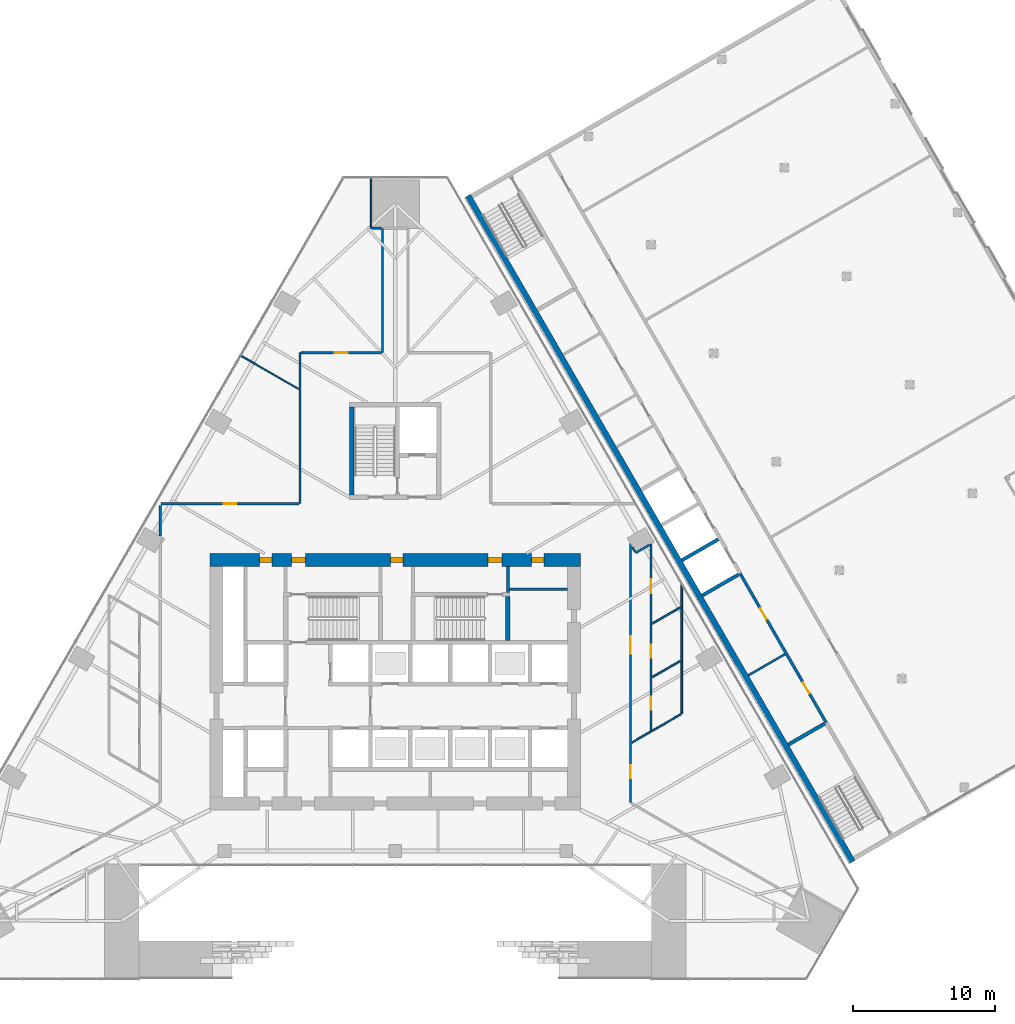
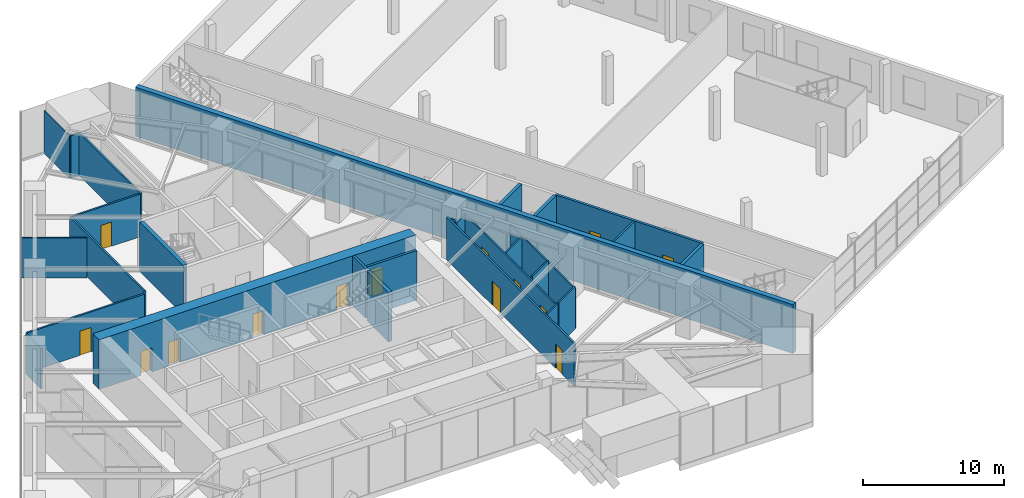
# One storey, part 19 of 29: 28 walls, 14 doors, 14 openings.
"""IFC4 building model written with IfcOpenShell, lengths in metres."""

from ifc_helpers import new_model, si_unit, direction, frame, frame_2d, origin, place, context, subcontext, project, spatial, rectangle, extrude, material, layer, layer_set, type_object, element, fill, save


model = new_model("IFC4")

# Units and contexts
model_context = context("Model", 3, precision=1e-05, world=origin(), true_north=direction((0.0, 1.0)))
body_context = subcontext(model_context, "Body", "Model", "MODEL_VIEW")
ifc_project = project(units=[si_unit("LENGTHUNIT", "METRE"), si_unit("AREAUNIT", "SQUARE_METRE"), si_unit("VOLUMEUNIT", "CUBIC_METRE"), si_unit("PLANEANGLEUNIT", "RADIAN"), si_unit("MASSUNIT", "GRAM", prefix="KILO")], contexts=[model_context])

# Site, building, storey
site_placement = place(None, origin())
site = spatial("IfcSite", under=ifc_project, at=site_placement, CompositionType="ELEMENT")
building_placement = place(site_placement, origin())
building = spatial("IfcBuilding", under=site, at=building_placement, Name="Firuza Gate Tower and Library", CompositionType="ELEMENT")
storey_placement = place(building_placement, frame((0.0, 0.0, 17.199951171875)))
storey = spatial("IfcBuildingStorey", under=building, at=storey_placement, Name="L03", CompositionType="ELEMENT", Elevation=17.199951171875)

# Walls
ifc_material_1 = material(Name="Plasterboard on steel studs", Category="steel")
ifc_layer_1 = layer(ifc_material_1, 0.199951171875)
ifc_layer_set_1 = layer_set([ifc_layer_1], Name="Core partition 200 EI 120")
wall_type_1 = type_object("IfcWallType", Name="Core partition 200 EI 120", PredefinedType="PARTITIONING", material=ifc_layer_set_1)
wall_1_placement = place(storey_placement, frame((83.0, 81.4951171875, 0.0), z_axis=(0.0, 0.0, 1.0), x_axis=(1.0, 0.0, 0.0)))
element("IfcWall", 1, at=wall_1_placement, inside=storey, type_object=wall_type_1, Name="Core partition L03 4", PredefinedType="PARTITIONING", context=body_context, shape_type="SweptSolid", body=[
    extrude(rectangle(XDim=4.10009765625, YDim=0.199951171875, at=frame_2d((2.050048828125, 0.0))), origin(), (0.0, 0.0, 1.0), 4.300048828125),
])
wall_2_placement = place(storey_placement, frame((82.89990234375, 81.280029296875, 0.0), z_axis=(0.0, 0.0, 1.0), x_axis=(0.0, 1.0, 0.0)))
element("IfcWall", 2, at=wall_2_placement, inside=storey, type_object=wall_type_1, Name="Core partition L03 15", PredefinedType="PARTITIONING", context=body_context, shape_type="SweptSolid", body=[
    extrude(rectangle(XDim=1.820068359375, YDim=0.199951171875, at=frame_2d((0.91015625, 0.0))), origin(), (0.0, 0.0, 1.0), 4.300048828125),
])
ifc_material_2 = material(Name="Concrete C80/95", Category="concrete")
ifc_layer_2 = layer(ifc_material_2, 0.300048828125)
ifc_layer_set_2 = layer_set([ifc_layer_2], Name="Core wall 300 C80/95")
wall_type_2 = type_object("IfcWallType", Name="Core wall 300 C80/95", PredefinedType="SHEAR", material=ifc_layer_set_2)
wall_3_placement = place(storey_placement, frame((82.89990234375, 77.89990234375, 0.0), z_axis=(0.0, 0.0, 1.0), x_axis=(0.0, 1.0, 0.0)))
element("IfcWall", 3, at=wall_3_placement, inside=storey, type_object=wall_type_2, Name="Core wall L03 33", PredefinedType="SHEAR", context=body_context, shape_type="SweptSolid", body=[
    extrude(rectangle(XDim=3.080078125, YDim=0.300048828125, at=frame_2d((1.5400390625, 0.0))), origin(), (0.0, 0.0, 1.0), 4.300048828125),
])
wall_4_placement = place(storey_placement, frame((71.949951171875, 88.10009765625, 0.0), z_axis=(0.0, 0.0, 1.0), x_axis=(0.0, 1.0, 0.0)))
element("IfcWall", 4, at=wall_4_placement, inside=storey, type_object=wall_type_2, Name="Core wall L03 36", PredefinedType="SHEAR", context=body_context, shape_type="SweptSolid", body=[
    extrude(rectangle(XDim=6.199951171875, YDim=0.300048828125, at=frame_2d((3.10009765625, 0.0))), origin(), (0.0, 0.0, 1.0), 4.300048828125),
])

# Wall, openings, doors
ifc_material_3 = material(Name="Concrete C80/95", Category="concrete")
ifc_layer_3 = layer(ifc_material_3, 0.89990234375)
ifc_layer_set_3 = layer_set([ifc_layer_3], Name="Core wall 900 C80/95")
wall_type_3 = type_object("IfcWallType", Name="Core wall 900 C80/95", PredefinedType="SHEAR", material=ifc_layer_set_3)
wall_5_placement = place(storey_placement, frame((62.0, 83.550048828125, 0.0), z_axis=(0.0, 0.0, 1.0), x_axis=(1.0, 0.0, 0.0)))
wall_5 = element("IfcWall", 5, at=wall_5_placement, inside=storey, type_object=wall_type_3, Name="Core wall L03 2", PredefinedType="SHEAR", context=body_context, shape_type="SweptSolid", body=[
    extrude(rectangle(XDim=26.0, YDim=0.89990234375, at=frame_2d((13.0, 0.0))), origin(), (0.0, 0.0, 1.0), 4.300048828125),
])
opening_1_placement = place(wall_5_placement, frame((5.695068359375, 0.0, 0.0)))
opening_1 = element("IfcOpeningElement", 6, at=opening_1_placement, cuts=wall_5, Name="Opening L03-K14", PredefinedType="OPENING", context=body_context, shape_type="SweptSolid", body=[
    extrude(rectangle(XDim=1.0, YDim=2.10009765625, at=frame_2d((0.5, 1.050048828125))), frame((0.0, 0.4599609375, 0.0), z_axis=(0.0, -1.0, 0.0), x_axis=(1.0, 0.0, 0.0)), (0.0, 0.0, 1.0), 0.919921875),
])
opening_2_placement = place(wall_5_placement, frame((19.5048828125, 0.0, 0.0)))
opening_2 = element("IfcOpeningElement", 7, at=opening_2_placement, cuts=wall_5, Name="Opening L03-K16", PredefinedType="OPENING", context=body_context, shape_type="SweptSolid", body=[
    extrude(rectangle(XDim=1.0, YDim=2.10009765625, at=frame_2d((0.5, 1.050048828125))), frame((0.0, 0.4599609375, 0.0), z_axis=(0.0, -1.0, 0.0), x_axis=(1.0, 0.0, 0.0)), (0.0, 0.0, 1.0), 0.919921875),
])
opening_3_placement = place(wall_5_placement, frame((3.449951171875, 0.0, 0.0)))
opening_3 = element("IfcOpeningElement", 8, at=opening_3_placement, cuts=wall_5, Name="Opening L03-K29", PredefinedType="OPENING", context=body_context, shape_type="SweptSolid", body=[
    extrude(rectangle(XDim=0.89990234375, YDim=2.10009765625, at=frame_2d((0.449951171875, 1.050048828125))), frame((0.0, 0.4599609375, 0.0), z_axis=(0.0, -1.0, 0.0), x_axis=(1.0, 0.0, 0.0)), (0.0, 0.0, 1.0), 0.919921875),
])
opening_4_placement = place(wall_5_placement, frame((12.64990234375, 0.0, 0.0)))
opening_4 = element("IfcOpeningElement", 9, at=opening_4_placement, cuts=wall_5, Name="Opening L03-K30", PredefinedType="OPENING", context=body_context, shape_type="SweptSolid", body=[
    extrude(rectangle(XDim=0.89990234375, YDim=2.10009765625, at=frame_2d((0.449951171875, 1.050048828125))), frame((0.0, 0.4599609375, 0.0), z_axis=(0.0, -1.0, 0.0), x_axis=(1.0, 0.0, 0.0)), (0.0, 0.0, 1.0), 0.919921875),
])
opening_5_placement = place(wall_5_placement, frame((22.550048828125, 0.0, 0.0)))
opening_5 = element("IfcOpeningElement", 10, at=opening_5_placement, cuts=wall_5, Name="Opening L03-K32", PredefinedType="OPENING", context=body_context, shape_type="SweptSolid", body=[
    extrude(rectangle(XDim=0.89990234375, YDim=2.10009765625, at=frame_2d((0.449951171875, 1.050048828125))), frame((0.0, 0.4599609375, 0.0), z_axis=(0.0, -1.0, 0.0), x_axis=(1.0, 0.0, 0.0)), (0.0, 0.0, 1.0), 0.919921875),
])
ifc_material_4 = material(Name="Steel", Category="steel")
door_type_1 = type_object("IfcDoorType", Name="Fire door 1000x2100 FD90", OperationType="NOTDEFINED", PredefinedType="DOOR", material=ifc_material_4)
door_1_placement = place(opening_1_placement, origin())
door_1 = element("IfcDoor", 11, at=door_1_placement, inside=storey, type_object=door_type_1, Name="Door L03-K14", OperationType="SINGLE_SWING_LEFT", OverallHeight=2.10009765625, OverallWidth=1.0, PredefinedType="DOOR", context=body_context, shape_type="SweptSolid", body=[
    extrude(rectangle(XDim=1.0, YDim=2.10009765625, at=frame_2d((0.5, 1.050048828125))), frame((0.0, 0.169921875, 0.0), z_axis=(0.0, -1.0, 0.0), x_axis=(1.0, 0.0, 0.0)), (0.0, 0.0, 1.0), 0.33984375),
])
fill(opening_1, door_1)
door_2_placement = place(opening_2_placement, origin())
door_2 = element("IfcDoor", 12, at=door_2_placement, inside=storey, type_object=door_type_1, Name="Door L03-K16", OperationType="SINGLE_SWING_LEFT", OverallHeight=2.10009765625, OverallWidth=1.0, PredefinedType="DOOR", context=body_context, shape_type="SweptSolid", body=[
    extrude(rectangle(XDim=1.0, YDim=2.10009765625, at=frame_2d((0.5, 1.050048828125))), frame((0.0, 0.169921875, 0.0), z_axis=(0.0, -1.0, 0.0), x_axis=(1.0, 0.0, 0.0)), (0.0, 0.0, 1.0), 0.33984375),
])
fill(opening_2, door_2)
ifc_material_5 = material(Name="Steel", Category="steel")
door_type_2 = type_object("IfcDoorType", Name="Fire door 900x2100 FD30S", OperationType="NOTDEFINED", PredefinedType="DOOR", material=ifc_material_5)
door_3_placement = place(opening_3_placement, origin())
door_3 = element("IfcDoor", 13, at=door_3_placement, inside=storey, type_object=door_type_2, Name="Door L03-K29", OperationType="SINGLE_SWING_RIGHT", OverallHeight=2.10009765625, OverallWidth=0.89990234375, PredefinedType="DOOR", context=body_context, shape_type="SweptSolid", body=[
    extrude(rectangle(XDim=0.89990234375, YDim=2.10009765625, at=frame_2d((0.449951171875, 1.050048828125))), frame((0.0, 0.169921875, 0.0), z_axis=(0.0, -1.0, 0.0), x_axis=(1.0, 0.0, 0.0)), (0.0, 0.0, 1.0), 0.33984375),
])
fill(opening_3, door_3)
door_4_placement = place(opening_4_placement, origin())
door_4 = element("IfcDoor", 14, at=door_4_placement, inside=storey, type_object=door_type_2, Name="Door L03-K30", OperationType="SINGLE_SWING_LEFT", OverallHeight=2.10009765625, OverallWidth=0.89990234375, PredefinedType="DOOR", context=body_context, shape_type="SweptSolid", body=[
    extrude(rectangle(XDim=0.89990234375, YDim=2.10009765625, at=frame_2d((0.449951171875, 1.050048828125))), frame((0.0, 0.169921875, 0.0), z_axis=(0.0, -1.0, 0.0), x_axis=(1.0, 0.0, 0.0)), (0.0, 0.0, 1.0), 0.33984375),
])
fill(opening_4, door_4)
door_5_placement = place(opening_5_placement, origin())
door_5 = element("IfcDoor", 15, at=door_5_placement, inside=storey, type_object=door_type_2, Name="Door L03-K32", OperationType="SINGLE_SWING_LEFT", OverallHeight=2.10009765625, OverallWidth=0.89990234375, PredefinedType="DOOR", context=body_context, shape_type="SweptSolid", body=[
    extrude(rectangle(XDim=0.89990234375, YDim=2.10009765625, at=frame_2d((0.449951171875, 1.050048828125))), frame((0.0, 0.169921875, 0.0), z_axis=(0.0, -1.0, 0.0), x_axis=(1.0, 0.0, 0.0)), (0.0, 0.0, 1.0), 0.33984375),
])
fill(opening_5, door_5)

# Wall, opening, door
ifc_material_6 = material(Name="Gypsum board partition")
ifc_layer_4 = layer(ifc_material_6, 0.14990234375)
ifc_layer_set_4 = layer_set([ifc_layer_4], Name="Corridor wall 150 double board on steel studs")
wall_type_4 = type_object("IfcWallType", Name="Corridor wall 150 double board on steel studs", PredefinedType="PARTITIONING", material=ifc_layer_set_4)
wall_6_placement = place(storey_placement, frame((58.563232421875, 87.499755859375, 0.0), z_axis=(0.0, 0.0, 1.0), x_axis=(1.0, 0.0, 0.0)))
wall_6 = element("IfcWall", 16, at=wall_6_placement, inside=storey, type_object=wall_type_4, Name="f:L03:w000", PredefinedType="PARTITIONING", context=body_context, shape_type="SweptSolid", body=[
    extrude(rectangle(XDim=9.661865234375, YDim=0.14990234375, at=frame_2d((4.8310546875, 0.0))), origin(), (0.0, 0.0, 1.0), 3.465087890625),
])
opening_6_placement = place(wall_6_placement, frame((4.380859375, 0.0, 0.0)))
opening_6 = element("IfcOpeningElement", 17, at=opening_6_placement, cuts=wall_6, Name="Opening L03-01", PredefinedType="OPENING", context=body_context, shape_type="SweptSolid", body=[
    extrude(rectangle(XDim=0.89990234375, YDim=2.10009765625, at=frame_2d((0.449951171875, 1.050048828125))), frame((0.0, 0.0849609375, 0.0), z_axis=(0.0, -1.0, 0.0), x_axis=(1.0, 0.0, 0.0)), (0.0, 0.0, 1.0), 0.169921875),
])
ifc_material_7 = material(Name="Steel door and timber leaf", Category="steel")
door_type_3 = type_object("IfcDoorType", Name="Fire door 900 x 2100 steel frame, timber leaf", OperationType="NOTDEFINED", PredefinedType="DOOR", material=ifc_material_7)
door_6_placement = place(opening_6_placement, origin())
door_6 = element("IfcDoor", 18, at=door_6_placement, inside=storey, type_object=door_type_3, Name="f:L03:d001", OperationType="SINGLE_SWING_LEFT", OverallHeight=2.10009765625, OverallWidth=0.89990234375, PredefinedType="DOOR", context=body_context, shape_type="SweptSolid", body=[
    extrude(rectangle(XDim=0.89990234375, YDim=2.10009765625, at=frame_2d((0.449951171875, 1.050048828125))), frame((0.0, 0.02490234375, 0.0), z_axis=(0.0, -1.0, 0.0), x_axis=(1.0, 0.0, 0.0)), (0.0, 0.0, 1.0), 0.050048828125),
])
fill(opening_6, door_6)

wall_7_placement = place(storey_placement, frame((68.37548828125, 98.10009765625, 0.0), z_axis=(0.0, 0.0, 1.0), x_axis=(1.0, 0.0, 0.0)))
wall_7 = element("IfcWall", 19, at=wall_7_placement, inside=storey, type_object=wall_type_4, Name="f:L03:w002", PredefinedType="PARTITIONING", context=body_context, shape_type="SweptSolid", body=[
    extrude(rectangle(XDim=5.6494140625, YDim=0.14990234375, at=frame_2d((2.82470703125, 0.0))), origin(), (0.0, 0.0, 1.0), 3.699951171875),
])
opening_7_placement = place(wall_7_placement, frame((2.374755859375, 0.0, 0.0)))
opening_7 = element("IfcOpeningElement", 20, at=opening_7_placement, cuts=wall_7, Name="Opening L03-03", PredefinedType="OPENING", context=body_context, shape_type="SweptSolid", body=[
    extrude(rectangle(XDim=0.89990234375, YDim=2.10009765625, at=frame_2d((0.449951171875, 1.050048828125))), frame((0.0, 0.0849609375, 0.0), z_axis=(0.0, -1.0, 0.0), x_axis=(1.0, 0.0, 0.0)), (0.0, 0.0, 1.0), 0.169921875),
])
door_7_placement = place(opening_7_placement, origin())
door_7 = element("IfcDoor", 21, at=door_7_placement, inside=storey, type_object=door_type_3, Name="f:L03:d003", OperationType="SINGLE_SWING_RIGHT", OverallHeight=2.10009765625, OverallWidth=0.89990234375, PredefinedType="DOOR", context=body_context, shape_type="SweptSolid", body=[
    extrude(rectangle(XDim=0.89990234375, YDim=2.10009765625, at=frame_2d((0.449951171875, 1.050048828125))), frame((0.0, 0.02490234375, 0.0), z_axis=(0.0, -1.0, 0.0), x_axis=(1.0, 0.0, 0.0)), (0.0, 0.0, 1.0), 0.050048828125),
])
fill(opening_7, door_7)

# Walls
wall_8_placement = place(storey_placement, frame((73.3505859375, 106.833984375, 0.0), z_axis=(0.0, 0.0, 1.0), x_axis=(1.0, 0.0, 0.0)))
element("IfcWall", 22, at=wall_8_placement, inside=storey, type_object=wall_type_4, Name="f:L03:w004", PredefinedType="PARTITIONING", context=body_context, shape_type="SweptSolid", body=[
    extrude(rectangle(XDim=0.67431640625, YDim=0.14990234375, at=frame_2d((0.337158203125, 0.0))), origin(), (0.0, 0.0, 1.0), 3.699951171875),
])
wall_9_placement = place(storey_placement, frame((91.87109375, 84.0478515625, 0.0), z_axis=(0.0, 0.0, 1.0), x_axis=(0.866027263711, 0.4999967785, 0.0)))
element("IfcWall", 23, at=wall_9_placement, inside=storey, type_object=wall_type_4, Name="f:L03:w009", PredefinedType="PARTITIONING", context=body_context, shape_type="SweptSolid", body=[
    extrude(rectangle(XDim=1.1298828125, YDim=0.14990234375, at=frame_2d((0.56494140625, 0.0))), origin(), (0.0, 0.0, 1.0), 3.465087890625),
])

# Wall, openings, doors
wall_10_placement = place(storey_placement, frame((91.5, 84.6904296875, 0.0), z_axis=(0.0, 0.0, 1.0), x_axis=(0.0, -1.0, 0.0)))
wall_10 = element("IfcWall", 24, at=wall_10_placement, inside=storey, type_object=wall_type_4, Name="f:L03:w016", PredefinedType="PARTITIONING", context=body_context, shape_type="SweptSolid", body=[
    extrude(rectangle(XDim=18.177490234375, YDim=0.14990234375, at=frame_2d((9.0888671875, 0.0))), origin(), (0.0, 0.0, 1.0), 3.699951171875),
])
opening_8_placement = place(wall_10_placement, frame((6.51171875, 0.0, 0.0)))
opening_8 = element("IfcOpeningElement", 25, at=opening_8_placement, cuts=wall_10, Name="Opening L03-09", PredefinedType="OPENING", context=body_context, shape_type="SweptSolid", body=[
    extrude(rectangle(XDim=1.199951171875, YDim=2.10009765625, at=frame_2d((0.60009765625, 1.050048828125))), frame((0.0, 0.0849609375, 0.0), z_axis=(0.0, -1.0, 0.0), x_axis=(1.0, 0.0, 0.0)), (0.0, 0.0, 1.0), 0.169921875),
])
opening_9_placement = place(wall_10_placement, frame((15.547119140625, 0.0, 0.0)))
opening_9 = element("IfcOpeningElement", 26, at=opening_9_placement, cuts=wall_10, Name="Opening L03-10", PredefinedType="OPENING", context=body_context, shape_type="SweptSolid", body=[
    extrude(rectangle(XDim=0.89990234375, YDim=2.10009765625, at=frame_2d((0.449951171875, 1.050048828125))), frame((0.0, 0.0849609375, 0.0), z_axis=(0.0, -1.0, 0.0), x_axis=(1.0, 0.0, 0.0)), (0.0, 0.0, 1.0), 0.169921875),
])
ifc_material_8 = material(Name="Steel door and timber leaf", Category="steel")
door_type_4 = type_object("IfcDoorType", Name="Fire door 1200 x 2100 steel frame, double leaf", OperationType="NOTDEFINED", PredefinedType="DOOR", material=ifc_material_8)
door_8_placement = place(opening_8_placement, origin())
door_8 = element("IfcDoor", 27, at=door_8_placement, inside=storey, type_object=door_type_4, Name="f:L03:d009", OperationType="DOUBLE_DOOR_SINGLE_SWING", OverallHeight=2.10009765625, OverallWidth=1.199951171875, PredefinedType="DOOR", context=body_context, shape_type="SweptSolid", body=[
    extrude(rectangle(XDim=1.199951171875, YDim=2.10009765625, at=frame_2d((0.60009765625, 1.050048828125))), frame((0.0, 0.02490234375, 0.0), z_axis=(0.0, -1.0, 0.0), x_axis=(1.0, 0.0, 0.0)), (0.0, 0.0, 1.0), 0.050048828125),
])
fill(opening_8, door_8)
door_9_placement = place(opening_9_placement, origin())
door_9 = element("IfcDoor", 28, at=door_9_placement, inside=storey, type_object=door_type_3, Name="f:L03:d010", OperationType="SINGLE_SWING_LEFT", OverallHeight=2.10009765625, OverallWidth=0.89990234375, PredefinedType="DOOR", context=body_context, shape_type="SweptSolid", body=[
    extrude(rectangle(XDim=0.89990234375, YDim=2.10009765625, at=frame_2d((0.449951171875, 1.050048828125))), frame((0.0, 0.02490234375, 0.0), z_axis=(0.0, -1.0, 0.0), x_axis=(1.0, 0.0, 0.0)), (0.0, 0.0, 1.0), 0.050048828125),
])
fill(opening_9, door_9)

# Walls
wall_11_placement = place(storey_placement, frame((74.10009765625, 98.10009765625, 0.0), z_axis=(0.0, 0.0, 1.0), x_axis=(0.0, 1.0, 0.0)))
element("IfcWall", 29, at=wall_11_placement, inside=storey, type_object=wall_type_4, Name="f:L03:w019", PredefinedType="PARTITIONING", context=body_context, shape_type="SweptSolid", body=[
    extrude(rectangle(XDim=8.733642578125, YDim=0.14990234375, at=frame_2d((4.36669921875, 0.0))), origin(), (0.0, 0.0, 1.0), 3.699951171875),
])
wall_12_placement = place(storey_placement, frame((68.300048828125, 87.5, 0.0), z_axis=(0.0, 0.0, 1.0), x_axis=(0.0, 1.0, 0.0)))
element("IfcWall", 30, at=wall_12_placement, inside=storey, type_object=wall_type_4, Name="f:L03:w021", PredefinedType="PARTITIONING", context=body_context, shape_type="SweptSolid", body=[
    extrude(rectangle(XDim=10.599609375, YDim=0.14990234375, at=frame_2d((5.2998046875, 0.0))), origin(), (0.0, 0.0, 1.0), 3.699951171875),
])
wall_13_placement = place(storey_placement, frame((58.5, 85.219482421875, 0.0), z_axis=(0.0, 0.0, 1.0), x_axis=(0.0, 1.0, 0.0)))
element("IfcWall", 31, at=wall_13_placement, inside=storey, type_object=wall_type_4, Name="f:L03:w023", PredefinedType="PARTITIONING", context=body_context, shape_type="SweptSolid", body=[
    extrude(rectangle(XDim=2.169921875, YDim=0.14990234375, at=frame_2d((1.0849609375, 0.0))), origin(), (0.0, 0.0, 1.0), 3.465087890625),
])
wall_14_placement = place(storey_placement, frame((91.828857421875, 84.12158203125, 0.0), z_axis=(0.0, 0.0, 1.0), x_axis=(-0.499759814377, 0.866164030617, 0.0)))
element("IfcWall", 32, at=wall_14_placement, inside=storey, type_object=wall_type_4, Name="f:L03:w026", PredefinedType="PARTITIONING", context=body_context, shape_type="SweptSolid", body=[
    extrude(rectangle(XDim=0.377197265625, YDim=0.14990234375, at=frame_2d((0.1884765625, 0.0))), origin(), (0.0, 0.0, 1.0), 3.699951171875),
])

# Wall, openings, doors
ifc_material_9 = material(Name="Masonry block", Category="masonry")
ifc_layer_5 = layer(ifc_material_9, 0.199951171875)
ifc_layer_set_5 = layer_set([ifc_layer_5], Name="LIB CORRIDOR WALL 200")
wall_type_5 = type_object("IfcWallType", Name="LIB CORRIDOR WALL 200", PredefinedType="PARTITIONING", material=ifc_layer_set_5)
wall_15_placement = place(storey_placement, frame((105.25, 72.124755859375, 0.0), z_axis=(0.0, 0.0, 1.0), x_axis=(-0.499996309931, 0.866027534236, 0.0)))
wall_15 = element("IfcWall", 33, at=wall_15_placement, inside=storey, type_object=wall_type_5, Name="L03 corr wall 6", PredefinedType="PARTITIONING", context=body_context, shape_type="SweptSolid", body=[
    extrude(rectangle(XDim=12.08984375, YDim=0.199951171875, at=frame_2d((6.044921875, 0.0))), origin(), (0.0, 0.0, 1.0), 4.239990234375),
])
opening_10_placement = place(wall_15_placement, frame((2.364990234375, 0.0, 0.0)))
opening_10 = element("IfcOpeningElement", 34, at=opening_10_placement, cuts=wall_15, Name="Opening LIB-D1-001", PredefinedType="OPENING", context=body_context, shape_type="SweptSolid", body=[
    extrude(rectangle(XDim=0.89990234375, YDim=2.10009765625, at=frame_2d((0.449951171875, 1.050048828125))), frame((0.0, 0.10986328125, 0.0), z_axis=(0.0, -1.0, 0.0), x_axis=(1.0, 0.0, 0.0)), (0.0, 0.0, 1.0), 0.219970703125),
])
opening_11_placement = place(wall_15_placement, frame((8.364990234375, 0.0, 0.0)))
opening_11 = element("IfcOpeningElement", 35, at=opening_11_placement, cuts=wall_15, Name="Opening LIB-D1-002", PredefinedType="OPENING", context=body_context, shape_type="SweptSolid", body=[
    extrude(rectangle(XDim=0.89990234375, YDim=2.10009765625, at=frame_2d((0.449951171875, 1.050048828125))), frame((0.0, 0.10986328125, 0.0), z_axis=(0.0, -1.0, 0.0), x_axis=(1.0, 0.0, 0.0)), (0.0, 0.0, 1.0), 0.219970703125),
])
ifc_material_10 = material(Name="Timber door leaf", Category="wood")
door_type_5 = type_object("IfcDoorType", Name="LIB DOOR 900", OperationType="NOTDEFINED", PredefinedType="DOOR", material=ifc_material_10)
door_10_placement = place(opening_10_placement, origin())
door_10 = element("IfcDoor", 36, at=door_10_placement, inside=storey, type_object=door_type_5, Name="L03 door 3", OperationType="SINGLE_SWING_LEFT", OverallHeight=2.10009765625, OverallWidth=0.89990234375, PredefinedType="DOOR", context=body_context, shape_type="SweptSolid", body=[
    extrude(rectangle(XDim=0.89990234375, YDim=2.10009765625, at=frame_2d((0.449951171875, 1.050048828125))), frame((0.0, 0.02490234375, 0.0), z_axis=(0.0, -1.0, 0.0), x_axis=(1.0, 0.0, 0.0)), (0.0, 0.0, 1.0), 0.050048828125),
])
fill(opening_10, door_10)
door_11_placement = place(opening_11_placement, origin())
door_11 = element("IfcDoor", 37, at=door_11_placement, inside=storey, type_object=door_type_5, Name="L03 door 4", OperationType="SINGLE_SWING_RIGHT", OverallHeight=2.10009765625, OverallWidth=0.89990234375, PredefinedType="DOOR", context=body_context, shape_type="SweptSolid", body=[
    extrude(rectangle(XDim=0.89990234375, YDim=2.10009765625, at=frame_2d((0.449951171875, 1.050048828125))), frame((0.0, 0.02490234375, 0.0), z_axis=(0.0, -1.0, 0.0), x_axis=(1.0, 0.0, 0.0)), (0.0, 0.0, 1.0), 0.050048828125),
])
fill(opening_11, door_11)

# Walls
ifc_material_11 = material(Name="Gypsum board on steel studs", Category="steel")
ifc_layer_6 = layer(ifc_material_11, 0.14990234375)
ifc_layer_set_6 = layer_set([ifc_layer_6], Name="LIB PARTITION 150")
wall_type_6 = type_object("IfcWallType", Name="LIB PARTITION 150", PredefinedType="PARTITIONING", material=ifc_layer_set_6)
wall_16_placement = place(storey_placement, frame((99.779296875, 75.449951171875, 0.0), z_axis=(0.0, 0.0, 1.0), x_axis=(0.866017493347, 0.500013701029, 0.0)))
element("IfcWall", 38, at=wall_16_placement, inside=storey, type_object=wall_type_6, Name="L03 part wall 5", PredefinedType="PARTITIONING", context=body_context, shape_type="SweptSolid", body=[
    extrude(rectangle(XDim=2.97509765625, YDim=0.14990234375, at=frame_2d((1.487548828125, 0.0))), origin(), (0.0, 0.0, 1.0), 4.239990234375),
])
ifc_material_12 = material(Name="Concrete C40/50", Category="concrete")
ifc_layer_7 = layer(ifc_material_12, 0.25)
ifc_layer_set_7 = layer_set([ifc_layer_7], Name="LIB SHAFT WALL 250")
wall_type_7 = type_object("IfcWallType", Name="LIB SHAFT WALL 250", PredefinedType="SOLIDWALL", material=ifc_layer_set_7)
for number, where, z_axis, x_axis, name in (
    (39, (102.5869140625, 70.58740234375, 0.0), (0.0, 0.0, 1.0), (0.866039495442, 0.49997559174, 0.0), "L03 shaft wall 1"),
    (40, (96.5419921875, 81.0576171875, 0.0), (0.0, 0.0, 1.0), (0.866039495442, 0.49997559174, 0.0), "L03 shaft wall 8"),
    (41, (95.116943359375, 83.525634765625, 0.0), (0.0, 0.0, 1.0), (0.866003658127, 0.500037662692, 0.0), "L03 shaft wall 9"),
):
    element("IfcWall", number, at=place(storey_placement, frame(where, z_axis=z_axis, x_axis=x_axis)), inside=storey, type_object=wall_type_7, Name=name, PredefinedType="SOLIDWALL", context=body_context, shape_type="SweptSolid", body=[
        extrude(rectangle(XDim=2.949951171875, YDim=0.25, at=frame_2d((1.47509765625, 0.0))), origin(), (0.0, 0.0, 1.0), 4.239990234375),
    ])
ifc_material_13 = material(Name="Concrete C40/50", Category="concrete")
ifc_layer_8 = layer(ifc_material_13, 0.39990234375)
ifc_layer_set_8 = layer_set([ifc_layer_8], Name="LIB WEST WALL 400")
wall_type_8 = type_object("IfcWallType", Name="LIB WEST WALL 400", PredefinedType="SOLIDWALL", material=ifc_layer_set_8)
wall_17_placement = place(storey_placement, frame((107.106201171875, 62.359619140625, 0.0), z_axis=(0.0, 0.0, 1.0), x_axis=(-0.49999992739, 0.866025445706, 0.0)))
element("IfcWall", 42, at=wall_17_placement, inside=storey, type_object=wall_type_8, Name="L03 west bearing wall", PredefinedType="SOLIDWALL", context=body_context, shape_type="SweptSolid", body=[
    extrude(rectangle(XDim=54.0, YDim=0.39990234375, at=frame_2d((27.0, 0.0))), origin(), (0.0, 0.0, 1.0), 4.239990234375),
])
ifc_material_14 = material(Name="Gypsum board partition")
ifc_layer_9 = layer(ifc_material_14, 0.10009765625)
ifc_layer_set_9 = layer_set([ifc_layer_9], Name="Partition 100 gypsum board on steel studs")
wall_type_9 = type_object("IfcWallType", Name="Partition 100 gypsum board on steel studs", PredefinedType="PARTITIONING", material=ifc_layer_set_9)
wall_18_placement = place(storey_placement, frame((73.300048828125, 106.834228515625, 0.0), z_axis=(0.0, 0.0, 1.0), x_axis=(0.0, 1.0, 0.0)))
element("IfcWall", 43, at=wall_18_placement, inside=storey, type_object=wall_type_9, Name="f:L03:w020", PredefinedType="PARTITIONING", context=body_context, shape_type="SweptSolid", body=[
    extrude(rectangle(XDim=3.5595703125, YDim=0.10009765625, at=frame_2d((1.77978515625, 0.0))), origin(), (0.0, 0.0, 1.0), 3.699951171875),
])
wall_19_placement = place(storey_placement, frame((68.198974609375, 95.554443359375, 0.0), z_axis=(0.0, 0.0, 1.0), x_axis=(-0.866034346295, 0.499984510798, 0.0)))
element("IfcWall", 44, at=wall_19_placement, inside=storey, type_object=wall_type_9, Name="f:L03:w028", PredefinedType="PARTITIONING", context=body_context, shape_type="SweptSolid", body=[
    extrude(rectangle(XDim=4.677490234375, YDim=0.10009765625, at=frame_2d((2.3388671875, 0.0))), origin(), (0.0, 0.0, 1.0), 3.465087890625),
])
ifc_material_15 = material(Name="Gypsum board partition")
ifc_layer_10 = layer(ifc_material_15, 0.1201171875)
ifc_layer_set_10 = layer_set([ifc_layer_10], Name="Wet-area partition 120 moisture-resistant board")
wall_type_10 = type_object("IfcWallType", Name="Wet-area partition 120 moisture-resistant board", PredefinedType="PARTITIONING", material=ifc_layer_set_10)
wall_20_placement = place(storey_placement, frame((91.609619140625, 70.733154296875, 0.0), z_axis=(0.0, 0.0, 1.0), x_axis=(0.865984448825, 0.500070929363, 0.0)))
element("IfcWall", 45, at=wall_20_placement, inside=storey, type_object=wall_type_10, Name="f:L03:w005", PredefinedType="PARTITIONING", context=body_context, shape_type="SweptSolid", body=[
    extrude(rectangle(XDim=1.495849609375, YDim=0.1201171875, at=frame_2d((0.748046875, 0.0))), origin(), (0.0, 0.0, 1.0), 3.699951171875),
])
wall_21_placement = place(storey_placement, frame((93.044677734375, 75.32275390625, 0.0), z_axis=(0.0, 0.0, 1.0), x_axis=(0.866058089564, 0.499943382296, 0.0)))
element("IfcWall", 46, at=wall_21_placement, inside=storey, type_object=wall_type_10, Name="f:L03:w006", PredefinedType="PARTITIONING", context=body_context, shape_type="SweptSolid", body=[
    extrude(rectangle(XDim=2.263916015625, YDim=0.1201171875, at=frame_2d((1.1318359375, 0.0))), origin(), (0.0, 0.0, 1.0), 3.699951171875),
])
wall_22_placement = place(storey_placement, frame((93.044677734375, 79.08349609375, 0.0), z_axis=(0.0, 0.0, 1.0), x_axis=(0.866011396007, 0.500024261398, 0.0)))
element("IfcWall", 47, at=wall_22_placement, inside=storey, type_object=wall_type_10, Name="f:L03:w007", PredefinedType="PARTITIONING", context=body_context, shape_type="SweptSolid", body=[
    extrude(rectangle(XDim=2.26416015625, YDim=0.1201171875, at=frame_2d((1.132080078125, 0.0))), origin(), (0.0, 0.0, 1.0), 3.465087890625),
])
wall_23_placement = place(storey_placement, frame((95.10009765625, 72.748291015625, 0.0), z_axis=(0.0, 0.0, 1.0), x_axis=(0.0, 1.0, 0.0)))
element("IfcWall", 48, at=wall_23_placement, inside=storey, type_object=wall_type_10, Name="f:L03:w014", PredefinedType="PARTITIONING", context=body_context, shape_type="SweptSolid", body=[
    extrude(rectangle(XDim=9.126708984375, YDim=0.1201171875, at=frame_2d((4.5634765625, 0.0))), origin(), (0.0, 0.0, 1.0), 3.465087890625),
])

# Wall, openings, doors
wall_24_placement = place(storey_placement, frame((92.949951171875, 71.507080078125, 0.0), z_axis=(0.0, 0.0, 1.0), x_axis=(0.0, 1.0, 0.0)))
wall_24 = element("IfcWall", 49, at=wall_24_placement, inside=storey, type_object=wall_type_10, Name="f:L03:w015", PredefinedType="PARTITIONING", context=body_context, shape_type="SweptSolid", body=[
    extrude(rectangle(XDim=13.16357421875, YDim=0.1201171875, at=frame_2d((6.581787109375, 0.0))), origin(), (0.0, 0.0, 1.0), 3.465087890625),
])
opening_12_placement = place(wall_24_placement, frame((1.5322265625, 0.0, 0.0)))
opening_12 = element("IfcOpeningElement", 50, at=opening_12_placement, cuts=wall_24, Name="Opening L03-06", PredefinedType="OPENING", context=body_context, shape_type="SweptSolid", body=[
    extrude(rectangle(XDim=0.89990234375, YDim=2.10009765625, at=frame_2d((0.449951171875, 1.050048828125))), frame((0.0, 0.070068359375, 0.0), z_axis=(0.0, -1.0, 0.0), x_axis=(1.0, 0.0, 0.0)), (0.0, 0.0, 1.0), 0.14013671875),
])
opening_13_placement = place(wall_24_placement, frame((5.191650390625, 0.0, 0.0)))
opening_13 = element("IfcOpeningElement", 51, at=opening_13_placement, cuts=wall_24, Name="Opening L03-07", PredefinedType="OPENING", context=body_context, shape_type="SweptSolid", body=[
    extrude(rectangle(XDim=0.89990234375, YDim=2.10009765625, at=frame_2d((0.449951171875, 1.050048828125))), frame((0.0, 0.070068359375, 0.0), z_axis=(0.0, -1.0, 0.0), x_axis=(1.0, 0.0, 0.0)), (0.0, 0.0, 1.0), 0.14013671875),
])
opening_14_placement = place(wall_24_placement, frame((9.697021484375, 0.0, 0.0)))
opening_14 = element("IfcOpeningElement", 52, at=opening_14_placement, cuts=wall_24, Name="Opening L03-08", PredefinedType="OPENING", context=body_context, shape_type="SweptSolid", body=[
    extrude(rectangle(XDim=1.0, YDim=2.10009765625, at=frame_2d((0.5, 1.050048828125))), frame((0.0, 0.070068359375, 0.0), z_axis=(0.0, -1.0, 0.0), x_axis=(1.0, 0.0, 0.0)), (0.0, 0.0, 1.0), 0.14013671875),
])
ifc_material_16 = material(Name="Timber door", Category="wood")
door_type_6 = type_object("IfcDoorType", Name="Door 1000 x 2100 timber leaf", OperationType="NOTDEFINED", PredefinedType="DOOR", material=ifc_material_16)
door_12_placement = place(opening_14_placement, origin())
door_12 = element("IfcDoor", 53, at=door_12_placement, inside=storey, type_object=door_type_6, Name="f:L03:d008", OperationType="SINGLE_SWING_RIGHT", OverallHeight=2.10009765625, OverallWidth=1.0, PredefinedType="DOOR", context=body_context, shape_type="SweptSolid", body=[
    extrude(rectangle(XDim=1.0, YDim=2.10009765625, at=frame_2d((0.5, 1.050048828125))), frame((0.0, 0.02490234375, 0.0), z_axis=(0.0, -1.0, 0.0), x_axis=(1.0, 0.0, 0.0)), (0.0, 0.0, 1.0), 0.050048828125),
])
fill(opening_14, door_12)
ifc_material_17 = material(Name="Timber door", Category="wood")
door_type_7 = type_object("IfcDoorType", Name="Door 900 x 2100 timber leaf", OperationType="NOTDEFINED", PredefinedType="DOOR", material=ifc_material_17)
door_13_placement = place(opening_12_placement, origin())
door_13 = element("IfcDoor", 54, at=door_13_placement, inside=storey, type_object=door_type_7, Name="f:L03:d006", OperationType="SINGLE_SWING_RIGHT", OverallHeight=2.10009765625, OverallWidth=0.89990234375, PredefinedType="DOOR", context=body_context, shape_type="SweptSolid", body=[
    extrude(rectangle(XDim=0.89990234375, YDim=2.10009765625, at=frame_2d((0.449951171875, 1.050048828125))), frame((0.0, 0.02490234375, 0.0), z_axis=(0.0, -1.0, 0.0), x_axis=(1.0, 0.0, 0.0)), (0.0, 0.0, 1.0), 0.050048828125),
])
fill(opening_12, door_13)
door_14_placement = place(opening_13_placement, origin())
door_14 = element("IfcDoor", 55, at=door_14_placement, inside=storey, type_object=door_type_7, Name="f:L03:d007", OperationType="SINGLE_SWING_LEFT", OverallHeight=2.10009765625, OverallWidth=0.89990234375, PredefinedType="DOOR", context=body_context, shape_type="SweptSolid", body=[
    extrude(rectangle(XDim=0.89990234375, YDim=2.10009765625, at=frame_2d((0.449951171875, 1.050048828125))), frame((0.0, 0.02490234375, 0.0), z_axis=(0.0, -1.0, 0.0), x_axis=(1.0, 0.0, 0.0)), (0.0, 0.0, 1.0), 0.050048828125),
])
fill(opening_13, door_14)

# Wall
wall_25_placement = place(storey_placement, frame((93.0400390625, 71.55908203125, 0.0), z_axis=(0.0, 0.0, 1.0), x_axis=(0.866009537788, 0.500027479704, 0.0)))
element("IfcWall", 56, at=wall_25_placement, inside=storey, type_object=wall_type_10, Name="f:L03:w036", PredefinedType="PARTITIONING", context=body_context, shape_type="SweptSolid", body=[
    extrude(rectangle(XDim=2.309326171875, YDim=0.1201171875, at=frame_2d((1.15478515625, 0.0))), origin(), (0.0, 0.0, 1.0), 3.699951171875),
])

save(model, "model.ifc")
